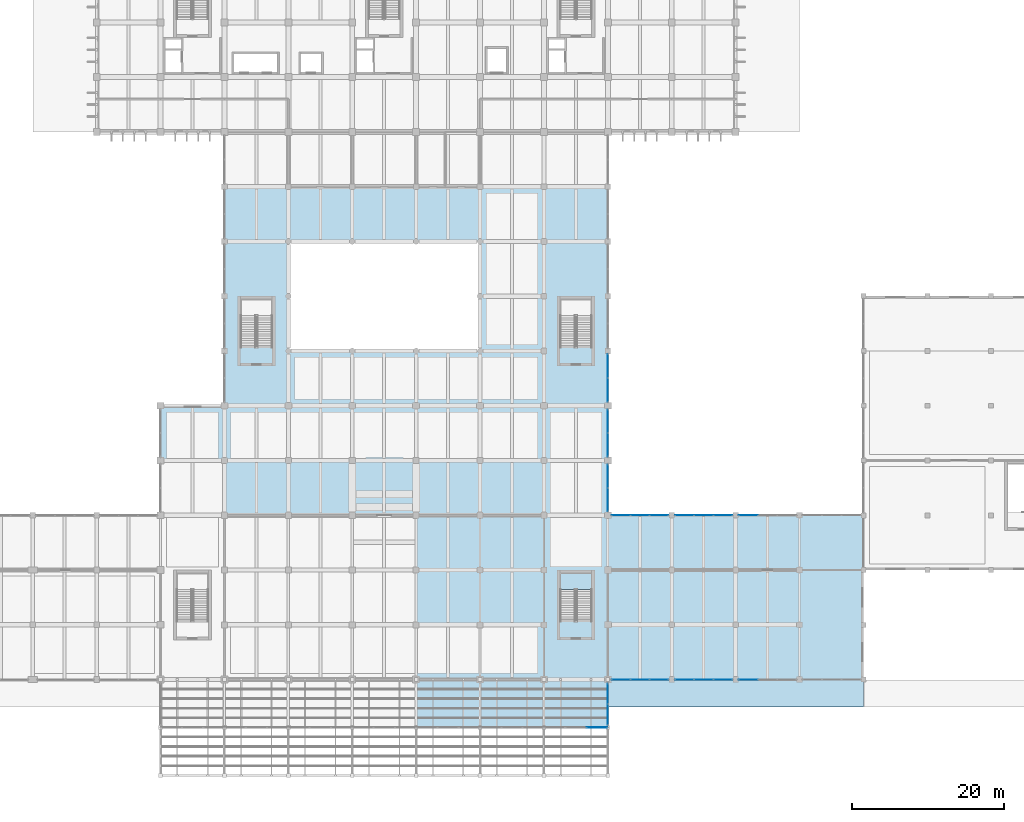
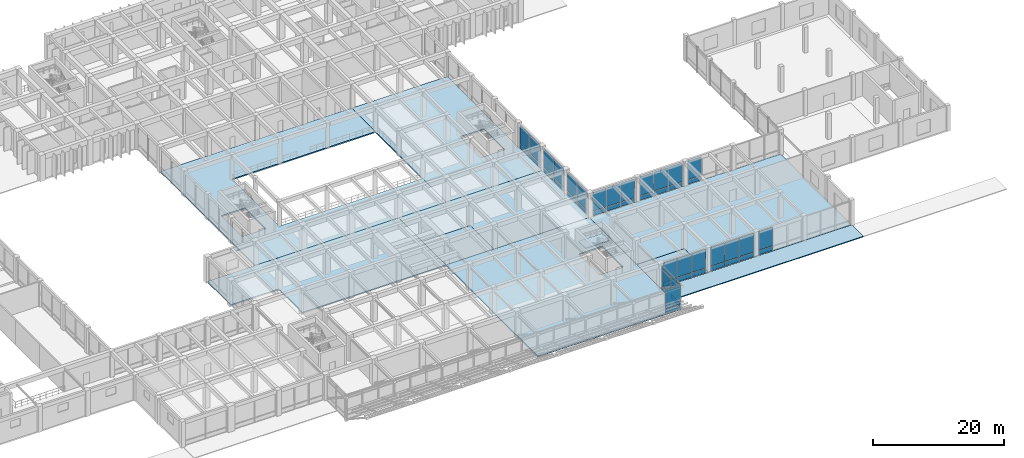
# One storey, part 29 of 52: 46 plates, 10 slabs, 12 elements without a shape of their own.
"""IFC4 building model written with IfcOpenShell, lengths in metres."""

from ifc_helpers import new_model, si_unit, direction, frame, origin, origin_2d, place, context, subcontext, project, spatial, polyline, rectangle, outline, extrude, material, layer, layer_set, type_object, element, aggregate, save


model = new_model("IFC4")

# Units and contexts
model_context = context("Model", 3, precision=1e-05, world=origin(), true_north=direction((0.0, 1.0)))
body_context = subcontext(model_context, "Body", "Model", "MODEL_VIEW")
ifc_project = project(units=[si_unit("LENGTHUNIT", "METRE"), si_unit("AREAUNIT", "SQUARE_METRE"), si_unit("VOLUMEUNIT", "CUBIC_METRE"), si_unit("PLANEANGLEUNIT", "RADIAN"), si_unit("MASSUNIT", "GRAM", prefix="KILO")], contexts=[model_context])

# Site, building, storey
site_placement = place(None, origin())
site = spatial("IfcSite", under=ifc_project, at=site_placement, CompositionType="ELEMENT")
building_placement = place(site_placement, origin())
building = spatial("IfcBuilding", under=site, at=building_placement, Name="Kenerak Square Central Library", CompositionType="ELEMENT")
storey_placement = place(building_placement, frame((0.0, 0.0, 4.800048828125)))
storey = spatial("IfcBuildingStorey", under=building, at=storey_placement, Name="L01", CompositionType="ELEMENT", Elevation=4.800048828125)

# Slabs
ifc_material_1 = material(Name="Precast concrete C40/50", Category="concrete")
ifc_layer_1 = layer(ifc_material_1, 0.14990234375)
ifc_layer_set_1 = layer_set([ifc_layer_1], Name="Precast concrete C40/50")
slab_type_1 = type_object("IfcSlabType", Name="Canopy and Lantern Eave Roof Deck RS-150 C40/50", PredefinedType="ROOF", material=ifc_layer_set_1)
slab_1_placement = place(storey_placement, frame((0.0, 0.0, -0.150146484375)))
element("IfcSlab", 1, at=slab_1_placement, inside=storey, type_object=slab_type_1, Name="Canopy Roof Slab COL-ROOF-SE", PredefinedType="ROOF", context=body_context, shape_type="SweptSolid", body=[
    extrude(outline(polyline([(117.25, 13.199951171875), (150.800048828125, 13.199951171875), (150.800048828125, 16.75), (117.25, 16.75), (117.25, 13.199951171875)])), origin(), (0.0, 0.0, 1.0), 0.150146484375),
])
ifc_material_2 = material(Name="Concrete C40/50", Category="concrete")
ifc_layer_2 = layer(ifc_material_2, 0.22509765625)
ifc_layer_set_2 = layer_set([ifc_layer_2], Name="Concrete C40/50")
slab_type_2 = type_object("IfcSlabType", Name="General Reading Room Slab FS-225 C40/50", PredefinedType="FLOOR", material=ifc_layer_set_2)
slab_2_placement = place(storey_placement, frame((0.0, 0.0, -0.22509765625)))
element("IfcSlab", 2, at=slab_2_placement, inside=storey, type_object=slab_type_2, Name="V1 Floor Slab L01 008", PredefinedType="FLOOR", context=body_context, shape_type="SweptSolid", body=[
    extrude(outline(polyline([(58.39990234375, 52.800048828125), (92.0, 52.800048828125), (92.0, 38.39990234375), (66.800048828125, 38.39990234375), (66.800048828125, 45.60009765625), (58.39990234375, 45.60009765625), (58.39990234375, 52.800048828125)])), origin(), (0.0, 0.0, 1.0), 0.22509765625),
])
slab_3_placement = place(storey_placement, frame((0.0, 0.0, -0.22509765625)))
element("IfcSlab", 3, at=slab_3_placement, inside=storey, type_object=slab_type_2, Name="V1 Floor Slab L01 010", PredefinedType="FLOOR", context=body_context, shape_type="SweptSolid", body=[
    extrude(outline(polyline([(92.0, 10.5), (92.0, 38.39990234375), (117.199951171875, 38.39990234375), (117.199951171875, 10.5), (92.0, 10.5)]), holes=[polyline([(115.080078125, 24.449951171875), (115.080078125, 30.800048828125), (110.919921875, 30.800048828125), (110.919921875, 24.449951171875), (115.080078125, 24.449951171875)])]), origin(), (0.0, 0.0, 1.0), 0.22509765625),
])
slab_4_placement = place(storey_placement, frame((0.0, 0.0, -0.22509765625)))
element("IfcSlab", 4, at=slab_4_placement, inside=storey, type_object=slab_type_2, Name="V1 Floor Slab L01 011", PredefinedType="FLOOR", context=body_context, shape_type="SweptSolid", body=[
    extrude(outline(polyline([(92.0, 52.800048828125), (117.199951171875, 52.800048828125), (117.199951171875, 38.39990234375), (100.39990234375, 38.39990234375), (100.39990234375, 45.60009765625), (92.0, 45.60009765625), (92.0, 52.800048828125)])), origin(), (0.0, 0.0, 1.0), 0.22509765625),
])
slab_5_placement = place(storey_placement, frame((0.0, 0.0, -0.22509765625)))
element("IfcSlab", 5, at=slab_5_placement, inside=storey, type_object=slab_type_2, Name="V1 Floor Slab L01 012", PredefinedType="FLOOR", context=body_context, shape_type="SweptSolid", body=[
    extrude(outline(polyline([(100.39990234375, 38.39990234375), (100.39990234375, 45.60009765625), (92.0, 45.60009765625), (92.0, 38.39990234375), (100.39990234375, 38.39990234375)])), origin(), (0.0, 0.0, 1.0), 0.22509765625),
])
slab_6_placement = place(storey_placement, frame((0.0, 0.0, -0.22509765625)))
element("IfcSlab", 6, at=slab_6_placement, inside=storey, type_object=slab_type_2, Name="V4 Floor Slab L01 040", PredefinedType="FLOOR", context=body_context, shape_type="SweptSolid", body=[
    extrude(outline(polyline([(100.39990234375, 52.800048828125), (66.800048828125, 52.800048828125), (66.800048828125, 81.60009765625), (100.39990234375, 81.60009765625), (100.39990234375, 74.39990234375), (75.199951171875, 74.39990234375), (75.199951171875, 60.0), (100.39990234375, 60.0), (100.39990234375, 52.800048828125)]), holes=[polyline([(73.080078125, 60.449951171875), (73.080078125, 66.800048828125), (68.919921875, 66.800048828125), (68.919921875, 60.449951171875), (73.080078125, 60.449951171875)])]), origin(), (0.0, 0.0, 1.0), 0.22509765625),
])
slab_7_placement = place(storey_placement, frame((0.0, 0.0, -0.22509765625)))
element("IfcSlab", 7, at=slab_7_placement, inside=storey, type_object=slab_type_2, Name="V4 Floor Slab L01 042", PredefinedType="FLOOR", context=body_context, shape_type="SweptSolid", body=[
    extrude(outline(polyline([(100.39990234375, 81.60009765625), (117.199951171875, 81.60009765625), (117.199951171875, 52.800048828125), (100.39990234375, 52.800048828125), (100.39990234375, 60.0), (100.39990234375, 74.39990234375), (100.39990234375, 81.60009765625)]), holes=[polyline([(115.080078125, 60.449951171875), (115.080078125, 66.800048828125), (110.919921875, 66.800048828125), (110.919921875, 60.449951171875), (115.080078125, 60.449951171875)])]), origin(), (0.0, 0.0, 1.0), 0.22509765625),
])

# Curtain wall, plates
ifc_material_3 = material(Name="Anodised aluminium and solar-control low-E glazing", Category="aluminium")
curtain_wall_type_1 = type_object("IfcCurtainWallType", Name="Curtain Wall CW-V4-63x45 6375x4500", PredefinedType="USERDEFINED", material=ifc_material_3)
curtain_wall_1_placement = place(storey_placement, origin())
curtain_wall_1 = element("IfcCurtainWall", 8, at=curtain_wall_1_placement, inside=storey, type_object=curtain_wall_type_1, Name="Curtain Wall CW-V4-63x45 L01 0032", ObjectType="CURTAIN WALL", PredefinedType="USERDEFINED")
ifc_material_4 = material(Name="Solar-control low-E laminated double glazing", Category="glass")
ifc_layer_3 = layer(ifc_material_4, 0.02392578125)
ifc_layer_set_3 = layer_set([ifc_layer_3], Name="Solar-control low-E laminated double glazing")
plate_type_1 = type_object("IfcPlateType", Name="Low-E Double Glazed Curtain Panel CP-24", PredefinedType="CURTAIN_PANEL", material=ifc_layer_set_3)
plate_1_placement = place(storey_placement, frame((117.199951171875, 58.014892578125, 0.06494140625), z_axis=(0.0, 0.0, 1.0), x_axis=(0.0, -1.0, 0.0)))
plate_1 = element("IfcPlate", 9, at=plate_1_placement, type_object=plate_type_1, Name="CW-V4-63x45 Panel 1.1", PredefinedType="CURTAIN_PANEL", context=body_context, shape_type="SweptSolid", body=[
    extrude(rectangle(XDim=3.090087890625, YDim=0.02392578125, at=origin_2d()), origin(), (0.0, 0.0, 1.0), 0.802490234375),
])
plate_2_placement = place(storey_placement, frame((117.199951171875, 58.014892578125, 0.932373046875), z_axis=(0.0, 0.0, 1.0), x_axis=(0.0, -1.0, 0.0)))
plate_2 = element("IfcPlate", 10, at=plate_2_placement, type_object=plate_type_1, Name="CW-V4-63x45 Panel 1.2", PredefinedType="CURTAIN_PANEL", context=body_context, shape_type="SweptSolid", body=[
    extrude(rectangle(XDim=3.090087890625, YDim=0.02392578125, at=origin_2d()), origin(), (0.0, 0.0, 1.0), 3.50244140625),
])
plate_3_placement = place(storey_placement, frame((117.199951171875, 54.860107421875, 0.06494140625), z_axis=(0.0, 0.0, 1.0), x_axis=(0.0, -1.0, 0.0)))
plate_3 = element("IfcPlate", 11, at=plate_3_placement, type_object=plate_type_1, Name="CW-V4-63x45 Panel 2.1", PredefinedType="CURTAIN_PANEL", context=body_context, shape_type="SweptSolid", body=[
    extrude(rectangle(XDim=3.090087890625, YDim=0.02392578125, at=origin_2d()), origin(), (0.0, 0.0, 1.0), 0.802490234375),
])
plate_4_placement = place(storey_placement, frame((117.199951171875, 54.860107421875, 0.932373046875), z_axis=(0.0, 0.0, 1.0), x_axis=(0.0, -1.0, 0.0)))
plate_4 = element("IfcPlate", 12, at=plate_4_placement, type_object=plate_type_1, Name="CW-V4-63x45 Panel 2.2", PredefinedType="CURTAIN_PANEL", context=body_context, shape_type="SweptSolid", body=[
    extrude(rectangle(XDim=3.090087890625, YDim=0.02392578125, at=origin_2d()), origin(), (0.0, 0.0, 1.0), 3.50244140625),
])
aggregate(curtain_wall_1, [plate_1, plate_2, plate_3, plate_4])

curtain_wall_type_2 = type_object("IfcCurtainWallType", Name="Curtain Wall CW-V6-75x45 7575x4500", PredefinedType="USERDEFINED", material=ifc_material_3)
curtain_wall_2_placement = place(storey_placement, origin())
curtain_wall_2 = element("IfcCurtainWall", 13, at=curtain_wall_2_placement, inside=storey, type_object=curtain_wall_type_2, Name="Curtain Wall CW-V6-75x45 L01 0035", ObjectType="CURTAIN WALL", PredefinedType="USERDEFINED")
plate_5_placement = place(storey_placement, frame((118.9287109375, 38.39990234375, 0.06494140625), z_axis=(0.0, 0.0, 1.0), x_axis=(1.0, 0.0, 0.0)))
plate_5 = element("IfcPlate", 14, at=plate_5_placement, type_object=plate_type_1, Name="CW-V6-75x45 Panel 1.1", PredefinedType="CURTAIN_PANEL", context=body_context, shape_type="SweptSolid", body=[
    extrude(rectangle(XDim=2.427490234375, YDim=0.02392578125, at=origin_2d()), origin(), (0.0, 0.0, 1.0), 0.802490234375),
])
plate_6_placement = place(storey_placement, frame((118.9287109375, 38.39990234375, 0.932373046875), z_axis=(0.0, 0.0, 1.0), x_axis=(1.0, 0.0, 0.0)))
plate_6 = element("IfcPlate", 15, at=plate_6_placement, type_object=plate_type_1, Name="CW-V6-75x45 Panel 1.2", PredefinedType="CURTAIN_PANEL", context=body_context, shape_type="SweptSolid", body=[
    extrude(rectangle(XDim=2.427490234375, YDim=0.02392578125, at=origin_2d()), origin(), (0.0, 0.0, 1.0), 3.50244140625),
])
plate_7_placement = place(storey_placement, frame((121.4375, 38.39990234375, 0.06494140625), z_axis=(0.0, 0.0, 1.0), x_axis=(1.0, 0.0, 0.0)))
plate_7 = element("IfcPlate", 16, at=plate_7_placement, type_object=plate_type_1, Name="CW-V6-75x45 Panel 2.1", PredefinedType="CURTAIN_PANEL", context=body_context, shape_type="SweptSolid", body=[
    extrude(rectangle(XDim=2.4599609375, YDim=0.02392578125, at=origin_2d()), origin(), (0.0, 0.0, 1.0), 0.802490234375),
])
plate_8_placement = place(storey_placement, frame((121.4375, 38.39990234375, 0.932373046875), z_axis=(0.0, 0.0, 1.0), x_axis=(1.0, 0.0, 0.0)))
plate_8 = element("IfcPlate", 17, at=plate_8_placement, type_object=plate_type_1, Name="CW-V6-75x45 Panel 2.2", PredefinedType="CURTAIN_PANEL", context=body_context, shape_type="SweptSolid", body=[
    extrude(rectangle(XDim=2.4599609375, YDim=0.02392578125, at=origin_2d()), origin(), (0.0, 0.0, 1.0), 3.50244140625),
])
plate_9_placement = place(storey_placement, frame((123.9462890625, 38.39990234375, 0.06494140625), z_axis=(0.0, 0.0, 1.0), x_axis=(1.0, 0.0, 0.0)))
plate_9 = element("IfcPlate", 18, at=plate_9_placement, type_object=plate_type_1, Name="CW-V6-75x45 Panel 3.1", PredefinedType="CURTAIN_PANEL", context=body_context, shape_type="SweptSolid", body=[
    extrude(rectangle(XDim=2.427490234375, YDim=0.02392578125, at=origin_2d()), origin(), (0.0, 0.0, 1.0), 0.802490234375),
])
plate_10_placement = place(storey_placement, frame((123.9462890625, 38.39990234375, 0.932373046875), z_axis=(0.0, 0.0, 1.0), x_axis=(1.0, 0.0, 0.0)))
plate_10 = element("IfcPlate", 19, at=plate_10_placement, type_object=plate_type_1, Name="CW-V6-75x45 Panel 3.2", PredefinedType="CURTAIN_PANEL", context=body_context, shape_type="SweptSolid", body=[
    extrude(rectangle(XDim=2.427490234375, YDim=0.02392578125, at=origin_2d()), origin(), (0.0, 0.0, 1.0), 3.50244140625),
])
aggregate(curtain_wall_2, [plate_5, plate_6, plate_7, plate_8, plate_9, plate_10])

curtain_wall_type_3 = type_object("IfcCurtainWallType", Name="Curtain Wall CW-V6-76x45 7650x4500", PredefinedType="USERDEFINED", material=ifc_material_3)
curtain_wall_3_placement = place(storey_placement, origin())
curtain_wall_3 = element("IfcCurtainWall", 20, at=curtain_wall_3_placement, inside=storey, type_object=curtain_wall_type_3, Name="Curtain Wall CW-V6-76x45 L01 0036", ObjectType="CURTAIN WALL", PredefinedType="USERDEFINED")
plate_11_placement = place(storey_placement, frame((127.266357421875, 38.39990234375, 0.06494140625), z_axis=(0.0, 0.0, 1.0), x_axis=(1.0, 0.0, 0.0)))
plate_11 = element("IfcPlate", 21, at=plate_11_placement, type_object=plate_type_1, Name="CW-V6-76x45 Panel 1.1", PredefinedType="CURTAIN_PANEL", context=body_context, shape_type="SweptSolid", body=[
    extrude(rectangle(XDim=2.452392578125, YDim=0.02392578125, at=origin_2d()), origin(), (0.0, 0.0, 1.0), 0.802490234375),
])
plate_12_placement = place(storey_placement, frame((127.266357421875, 38.39990234375, 0.932373046875), z_axis=(0.0, 0.0, 1.0), x_axis=(1.0, 0.0, 0.0)))
plate_12 = element("IfcPlate", 22, at=plate_12_placement, type_object=plate_type_1, Name="CW-V6-76x45 Panel 1.2", PredefinedType="CURTAIN_PANEL", context=body_context, shape_type="SweptSolid", body=[
    extrude(rectangle(XDim=2.452392578125, YDim=0.02392578125, at=origin_2d()), origin(), (0.0, 0.0, 1.0), 3.50244140625),
])
plate_13_placement = place(storey_placement, frame((129.800048828125, 38.39990234375, 0.06494140625), z_axis=(0.0, 0.0, 1.0), x_axis=(1.0, 0.0, 0.0)))
plate_13 = element("IfcPlate", 23, at=plate_13_placement, type_object=plate_type_1, Name="CW-V6-76x45 Panel 2.1", PredefinedType="CURTAIN_PANEL", context=body_context, shape_type="SweptSolid", body=[
    extrude(rectangle(XDim=2.485107421875, YDim=0.02392578125, at=origin_2d()), origin(), (0.0, 0.0, 1.0), 0.802490234375),
])
plate_14_placement = place(storey_placement, frame((129.800048828125, 38.39990234375, 0.932373046875), z_axis=(0.0, 0.0, 1.0), x_axis=(1.0, 0.0, 0.0)))
plate_14 = element("IfcPlate", 24, at=plate_14_placement, type_object=plate_type_1, Name="CW-V6-76x45 Panel 2.2", PredefinedType="CURTAIN_PANEL", context=body_context, shape_type="SweptSolid", body=[
    extrude(rectangle(XDim=2.485107421875, YDim=0.02392578125, at=origin_2d()), origin(), (0.0, 0.0, 1.0), 3.50244140625),
])
plate_15_placement = place(storey_placement, frame((132.333740234375, 38.39990234375, 0.06494140625), z_axis=(0.0, 0.0, 1.0), x_axis=(1.0, 0.0, 0.0)))
plate_15 = element("IfcPlate", 25, at=plate_15_placement, type_object=plate_type_1, Name="CW-V6-76x45 Panel 3.1", PredefinedType="CURTAIN_PANEL", context=body_context, shape_type="SweptSolid", body=[
    extrude(rectangle(XDim=2.452392578125, YDim=0.02392578125, at=origin_2d()), origin(), (0.0, 0.0, 1.0), 0.802490234375),
])
plate_16_placement = place(storey_placement, frame((132.333740234375, 38.39990234375, 0.932373046875), z_axis=(0.0, 0.0, 1.0), x_axis=(1.0, 0.0, 0.0)))
plate_16 = element("IfcPlate", 26, at=plate_16_placement, type_object=plate_type_1, Name="CW-V6-76x45 Panel 3.2", PredefinedType="CURTAIN_PANEL", context=body_context, shape_type="SweptSolid", body=[
    extrude(rectangle(XDim=2.452392578125, YDim=0.02392578125, at=origin_2d()), origin(), (0.0, 0.0, 1.0), 3.50244140625),
])
aggregate(curtain_wall_3, [plate_11, plate_12, plate_13, plate_14, plate_15, plate_16])

curtain_wall_4_placement = place(storey_placement, origin())
curtain_wall_4 = element("IfcCurtainWall", 27, at=curtain_wall_4_placement, inside=storey, type_object=curtain_wall_type_3, Name="Curtain Wall CW-V6-76x45 L01 0037", ObjectType="CURTAIN WALL", PredefinedType="USERDEFINED")
plate_17_placement = place(storey_placement, frame((135.666259765625, 38.39990234375, 0.06494140625), z_axis=(0.0, 0.0, 1.0), x_axis=(1.0, 0.0, 0.0)))
plate_17 = element("IfcPlate", 28, at=plate_17_placement, type_object=plate_type_1, Name="CW-V6-76x45 Panel 1.1", PredefinedType="CURTAIN_PANEL", context=body_context, shape_type="SweptSolid", body=[
    extrude(rectangle(XDim=2.452392578125, YDim=0.02392578125, at=origin_2d()), origin(), (0.0, 0.0, 1.0), 0.802490234375),
])
plate_18_placement = place(storey_placement, frame((135.666259765625, 38.39990234375, 0.932373046875), z_axis=(0.0, 0.0, 1.0), x_axis=(1.0, 0.0, 0.0)))
plate_18 = element("IfcPlate", 29, at=plate_18_placement, type_object=plate_type_1, Name="CW-V6-76x45 Panel 1.2", PredefinedType="CURTAIN_PANEL", context=body_context, shape_type="SweptSolid", body=[
    extrude(rectangle(XDim=2.452392578125, YDim=0.02392578125, at=origin_2d()), origin(), (0.0, 0.0, 1.0), 3.50244140625),
])
aggregate(curtain_wall_4, [plate_17, plate_18])

curtain_wall_5_placement = place(storey_placement, origin())
curtain_wall_5 = element("IfcCurtainWall", 30, at=curtain_wall_5_placement, inside=storey, type_object=curtain_wall_type_3, Name="Curtain Wall CW-V6-76x45 L01 0044", ObjectType="CURTAIN WALL", PredefinedType="USERDEFINED")
plate_19_placement = place(storey_placement, frame((135.666259765625, 16.800048828125, 0.06494140625), z_axis=(0.0, 0.0, 1.0), x_axis=(-1.0, 0.0, 0.0)))
plate_19 = element("IfcPlate", 31, at=plate_19_placement, type_object=plate_type_1, Name="CW-V6-76x45 Panel 3.1", PredefinedType="CURTAIN_PANEL", context=body_context, shape_type="SweptSolid", body=[
    extrude(rectangle(XDim=2.452392578125, YDim=0.02392578125, at=origin_2d()), origin(), (0.0, 0.0, 1.0), 0.802490234375),
])
plate_20_placement = place(storey_placement, frame((135.666259765625, 16.800048828125, 0.932373046875), z_axis=(0.0, 0.0, 1.0), x_axis=(-1.0, 0.0, 0.0)))
plate_20 = element("IfcPlate", 32, at=plate_20_placement, type_object=plate_type_1, Name="CW-V6-76x45 Panel 3.2", PredefinedType="CURTAIN_PANEL", context=body_context, shape_type="SweptSolid", body=[
    extrude(rectangle(XDim=2.452392578125, YDim=0.02392578125, at=origin_2d()), origin(), (0.0, 0.0, 1.0), 3.50244140625),
])
aggregate(curtain_wall_5, [plate_19, plate_20])

curtain_wall_6_placement = place(storey_placement, origin())
curtain_wall_6 = element("IfcCurtainWall", 33, at=curtain_wall_6_placement, inside=storey, type_object=curtain_wall_type_3, Name="Curtain Wall CW-V6-76x45 L01 0045", ObjectType="CURTAIN WALL", PredefinedType="USERDEFINED")
plate_21_placement = place(storey_placement, frame((132.333740234375, 16.800048828125, 0.06494140625), z_axis=(0.0, 0.0, 1.0), x_axis=(-1.0, 0.0, 0.0)))
plate_21 = element("IfcPlate", 34, at=plate_21_placement, type_object=plate_type_1, Name="CW-V6-76x45 Panel 1.1", PredefinedType="CURTAIN_PANEL", context=body_context, shape_type="SweptSolid", body=[
    extrude(rectangle(XDim=2.452392578125, YDim=0.02392578125, at=origin_2d()), origin(), (0.0, 0.0, 1.0), 0.802490234375),
])
plate_22_placement = place(storey_placement, frame((132.333740234375, 16.800048828125, 0.932373046875), z_axis=(0.0, 0.0, 1.0), x_axis=(-1.0, 0.0, 0.0)))
plate_22 = element("IfcPlate", 35, at=plate_22_placement, type_object=plate_type_1, Name="CW-V6-76x45 Panel 1.2", PredefinedType="CURTAIN_PANEL", context=body_context, shape_type="SweptSolid", body=[
    extrude(rectangle(XDim=2.452392578125, YDim=0.02392578125, at=origin_2d()), origin(), (0.0, 0.0, 1.0), 3.50244140625),
])
plate_23_placement = place(storey_placement, frame((129.800048828125, 16.800048828125, 0.06494140625), z_axis=(0.0, 0.0, 1.0), x_axis=(-1.0, 0.0, 0.0)))
plate_23 = element("IfcPlate", 36, at=plate_23_placement, type_object=plate_type_1, Name="CW-V6-76x45 Panel 2.1", PredefinedType="CURTAIN_PANEL", context=body_context, shape_type="SweptSolid", body=[
    extrude(rectangle(XDim=2.485107421875, YDim=0.02392578125, at=origin_2d()), origin(), (0.0, 0.0, 1.0), 0.802490234375),
])
plate_24_placement = place(storey_placement, frame((129.800048828125, 16.800048828125, 0.932373046875), z_axis=(0.0, 0.0, 1.0), x_axis=(-1.0, 0.0, 0.0)))
plate_24 = element("IfcPlate", 37, at=plate_24_placement, type_object=plate_type_1, Name="CW-V6-76x45 Panel 2.2", PredefinedType="CURTAIN_PANEL", context=body_context, shape_type="SweptSolid", body=[
    extrude(rectangle(XDim=2.485107421875, YDim=0.02392578125, at=origin_2d()), origin(), (0.0, 0.0, 1.0), 3.50244140625),
])
plate_25_placement = place(storey_placement, frame((127.266357421875, 16.800048828125, 0.06494140625), z_axis=(0.0, 0.0, 1.0), x_axis=(-1.0, 0.0, 0.0)))
plate_25 = element("IfcPlate", 38, at=plate_25_placement, type_object=plate_type_1, Name="CW-V6-76x45 Panel 3.1", PredefinedType="CURTAIN_PANEL", context=body_context, shape_type="SweptSolid", body=[
    extrude(rectangle(XDim=2.452392578125, YDim=0.02392578125, at=origin_2d()), origin(), (0.0, 0.0, 1.0), 0.802490234375),
])
plate_26_placement = place(storey_placement, frame((127.266357421875, 16.800048828125, 0.932373046875), z_axis=(0.0, 0.0, 1.0), x_axis=(-1.0, 0.0, 0.0)))
plate_26 = element("IfcPlate", 39, at=plate_26_placement, type_object=plate_type_1, Name="CW-V6-76x45 Panel 3.2", PredefinedType="CURTAIN_PANEL", context=body_context, shape_type="SweptSolid", body=[
    extrude(rectangle(XDim=2.452392578125, YDim=0.02392578125, at=origin_2d()), origin(), (0.0, 0.0, 1.0), 3.50244140625),
])
aggregate(curtain_wall_6, [plate_21, plate_22, plate_23, plate_24, plate_25, plate_26])

curtain_wall_7_placement = place(storey_placement, origin())
curtain_wall_7 = element("IfcCurtainWall", 40, at=curtain_wall_7_placement, inside=storey, type_object=curtain_wall_type_2, Name="Curtain Wall CW-V6-75x45 L01 0046", ObjectType="CURTAIN WALL", PredefinedType="USERDEFINED")
plate_27_placement = place(storey_placement, frame((123.9462890625, 16.800048828125, 0.06494140625), z_axis=(0.0, 0.0, 1.0), x_axis=(-1.0, 0.0, 0.0)))
plate_27 = element("IfcPlate", 41, at=plate_27_placement, type_object=plate_type_1, Name="CW-V6-75x45 Panel 1.1", PredefinedType="CURTAIN_PANEL", context=body_context, shape_type="SweptSolid", body=[
    extrude(rectangle(XDim=2.427490234375, YDim=0.02392578125, at=origin_2d()), origin(), (0.0, 0.0, 1.0), 0.802490234375),
])
plate_28_placement = place(storey_placement, frame((123.9462890625, 16.800048828125, 0.932373046875), z_axis=(0.0, 0.0, 1.0), x_axis=(-1.0, 0.0, 0.0)))
plate_28 = element("IfcPlate", 42, at=plate_28_placement, type_object=plate_type_1, Name="CW-V6-75x45 Panel 1.2", PredefinedType="CURTAIN_PANEL", context=body_context, shape_type="SweptSolid", body=[
    extrude(rectangle(XDim=2.427490234375, YDim=0.02392578125, at=origin_2d()), origin(), (0.0, 0.0, 1.0), 3.50244140625),
])
plate_29_placement = place(storey_placement, frame((121.4375, 16.800048828125, 0.06494140625), z_axis=(0.0, 0.0, 1.0), x_axis=(-1.0, 0.0, 0.0)))
plate_29 = element("IfcPlate", 43, at=plate_29_placement, type_object=plate_type_1, Name="CW-V6-75x45 Panel 2.1", PredefinedType="CURTAIN_PANEL", context=body_context, shape_type="SweptSolid", body=[
    extrude(rectangle(XDim=2.4599609375, YDim=0.02392578125, at=origin_2d()), origin(), (0.0, 0.0, 1.0), 0.802490234375),
])
plate_30_placement = place(storey_placement, frame((121.4375, 16.800048828125, 0.932373046875), z_axis=(0.0, 0.0, 1.0), x_axis=(-1.0, 0.0, 0.0)))
plate_30 = element("IfcPlate", 44, at=plate_30_placement, type_object=plate_type_1, Name="CW-V6-75x45 Panel 2.2", PredefinedType="CURTAIN_PANEL", context=body_context, shape_type="SweptSolid", body=[
    extrude(rectangle(XDim=2.4599609375, YDim=0.02392578125, at=origin_2d()), origin(), (0.0, 0.0, 1.0), 3.50244140625),
])
plate_31_placement = place(storey_placement, frame((118.9287109375, 16.800048828125, 0.06494140625), z_axis=(0.0, 0.0, 1.0), x_axis=(-1.0, 0.0, 0.0)))
plate_31 = element("IfcPlate", 45, at=plate_31_placement, type_object=plate_type_1, Name="CW-V6-75x45 Panel 3.1", PredefinedType="CURTAIN_PANEL", context=body_context, shape_type="SweptSolid", body=[
    extrude(rectangle(XDim=2.427490234375, YDim=0.02392578125, at=origin_2d()), origin(), (0.0, 0.0, 1.0), 0.802490234375),
])
plate_32_placement = place(storey_placement, frame((118.9287109375, 16.800048828125, 0.932373046875), z_axis=(0.0, 0.0, 1.0), x_axis=(-1.0, 0.0, 0.0)))
plate_32 = element("IfcPlate", 46, at=plate_32_placement, type_object=plate_type_1, Name="CW-V6-75x45 Panel 3.2", PredefinedType="CURTAIN_PANEL", context=body_context, shape_type="SweptSolid", body=[
    extrude(rectangle(XDim=2.427490234375, YDim=0.02392578125, at=origin_2d()), origin(), (0.0, 0.0, 1.0), 3.50244140625),
])
aggregate(curtain_wall_7, [plate_27, plate_28, plate_29, plate_30, plate_31, plate_32])

# Stair, slab
stair_type = type_object("IfcStairType", Name="Exit Dogleg Stair ST-480 C40/50", PredefinedType="HALF_TURN_STAIR", material=ifc_material_2)
stair_placement = place(storey_placement, origin())
stair = element("IfcStair", 47, at=stair_placement, inside=storey, type_object=stair_type, Name="L01 Protected Exit Stair ST-05", PredefinedType="HALF_TURN_STAIR")
ifc_layer_4 = layer(ifc_material_2, 0.199951171875)
ifc_layer_set_4 = layer_set([ifc_layer_4], Name="Concrete C40/50")
slab_type_3 = type_object("IfcSlabType", Name="Stair Half-Landing Slab LD-200 C40/50", PredefinedType="LANDING", material=ifc_layer_set_4)
slab_8_placement = place(storey_placement, frame((0.0, 0.0, 2.199951171875)))
slab_8 = element("IfcSlab", 48, at=slab_8_placement, type_object=slab_type_3, Name="ST-05 Landing 1", PredefinedType="LANDING", context=body_context, shape_type="SweptSolid", body=[
    extrude(outline(polyline([(115.080078125, 28.64990234375), (115.080078125, 30.800048828125), (110.919921875, 30.800048828125), (110.919921875, 28.64990234375), (115.080078125, 28.64990234375)])), origin(), (0.0, 0.0, 1.0), 0.199951171875),
])
aggregate(stair, [slab_8])

# Slabs
ifc_layer_5 = layer(ifc_material_2, 0.35009765625)
ifc_layer_set_5 = layer_set([ifc_layer_5], Name="Concrete C40/50")
slab_type_4 = type_object("IfcSlabType", Name="Transfer and Plant Room Slab FS-350 C40/50", PredefinedType="FLOOR", material=ifc_layer_set_5)
slab_9_placement = place(storey_placement, frame((0.0, 0.0, -0.35009765625)))
element("IfcSlab", 49, at=slab_9_placement, inside=storey, type_object=slab_type_4, Name="V6 Floor Slab L01 103", PredefinedType="FLOOR", context=body_context, shape_type="SweptSolid", body=[
    extrude(outline(polyline([(117.199951171875, 38.39990234375), (150.800048828125, 38.39990234375), (150.800048828125, 16.800048828125), (125.60009765625, 16.800048828125), (125.60009765625, 24.0), (117.199951171875, 24.0), (117.199951171875, 38.39990234375)])), origin(), (0.0, 0.0, 1.0), 0.35009765625),
])
slab_10_placement = place(storey_placement, frame((0.0, 0.0, -0.35009765625)))
element("IfcSlab", 50, at=slab_10_placement, inside=storey, type_object=slab_type_4, Name="V6 Floor Slab L01 104", PredefinedType="FLOOR", context=body_context, shape_type="SweptSolid", body=[
    extrude(outline(polyline([(125.60009765625, 16.800048828125), (125.60009765625, 24.0), (117.199951171875, 24.0), (117.199951171875, 16.800048828125), (125.60009765625, 16.800048828125)])), origin(), (0.0, 0.0, 1.0), 0.35009765625),
])

# Curtain wall, plates
curtain_wall_type_4 = type_object("IfcCurtainWallType", Name="Curtain Wall CW-V1-63x45 6300x4500", PredefinedType="USERDEFINED", material=ifc_material_3)
curtain_wall_8_placement = place(storey_placement, origin())
curtain_wall_8 = element("IfcCurtainWall", 51, at=curtain_wall_8_placement, inside=storey, type_object=curtain_wall_type_4, Name="Curtain Wall CW-V1-63x45 L01 0033", ObjectType="CURTAIN WALL", PredefinedType="USERDEFINED")
ifc_material_5 = material(Name="Triple-laminated solar-control low-E glazing", Category="glass")
ifc_layer_6 = layer(ifc_material_5, 0.031982421875)
ifc_layer_set_6 = layer_set([ifc_layer_6], Name="Triple-laminated solar-control low-E glazing")
plate_type_2 = type_object("IfcPlateType", Name="Triple-Laminated Reading Hall Panel CP-32", PredefinedType="CURTAIN_PANEL", material=ifc_layer_set_6)
plate_33_placement = place(storey_placement, frame((117.199951171875, 50.75634765625, 0.074951171875), z_axis=(0.0, 0.0, 1.0), x_axis=(0.0, -1.0, 0.0)))
plate_33 = element("IfcPlate", 52, at=plate_33_placement, type_object=plate_type_2, Name="CW-V1-63x45 Panel 1.1", PredefinedType="CURTAIN_PANEL", context=body_context, shape_type="SweptSolid", body=[
    extrude(rectangle(XDim=3.03759765625, YDim=0.031982421875, at=origin_2d()), origin(), (0.0, 0.0, 1.0), 0.78759765625),
])
plate_34_placement = place(storey_placement, frame((117.199951171875, 50.75634765625, 0.9375), z_axis=(0.0, 0.0, 1.0), x_axis=(0.0, -1.0, 0.0)))
plate_34 = element("IfcPlate", 53, at=plate_34_placement, type_object=plate_type_2, Name="CW-V1-63x45 Panel 1.2", PredefinedType="CURTAIN_PANEL", context=body_context, shape_type="SweptSolid", body=[
    extrude(rectangle(XDim=3.03759765625, YDim=0.031982421875, at=origin_2d()), origin(), (0.0, 0.0, 1.0), 3.487548828125),
])
plate_35_placement = place(storey_placement, frame((117.199951171875, 47.643798828125, 0.074951171875), z_axis=(0.0, 0.0, 1.0), x_axis=(0.0, -1.0, 0.0)))
plate_35 = element("IfcPlate", 54, at=plate_35_placement, type_object=plate_type_2, Name="CW-V1-63x45 Panel 2.1", PredefinedType="CURTAIN_PANEL", context=body_context, shape_type="SweptSolid", body=[
    extrude(rectangle(XDim=3.03759765625, YDim=0.031982421875, at=origin_2d()), origin(), (0.0, 0.0, 1.0), 0.78759765625),
])
plate_36_placement = place(storey_placement, frame((117.199951171875, 47.643798828125, 0.9375), z_axis=(0.0, 0.0, 1.0), x_axis=(0.0, -1.0, 0.0)))
plate_36 = element("IfcPlate", 55, at=plate_36_placement, type_object=plate_type_2, Name="CW-V1-63x45 Panel 2.2", PredefinedType="CURTAIN_PANEL", context=body_context, shape_type="SweptSolid", body=[
    extrude(rectangle(XDim=3.03759765625, YDim=0.031982421875, at=origin_2d()), origin(), (0.0, 0.0, 1.0), 3.487548828125),
])
aggregate(curtain_wall_8, [plate_33, plate_34, plate_35, plate_36])

curtain_wall_9_placement = place(storey_placement, origin())
curtain_wall_9 = element("IfcCurtainWall", 56, at=curtain_wall_9_placement, inside=storey, type_object=curtain_wall_type_4, Name="Curtain Wall CW-V1-63x45 L01 0034", ObjectType="CURTAIN WALL", PredefinedType="USERDEFINED")
plate_37_placement = place(storey_placement, frame((117.199951171875, 43.55615234375, 0.074951171875), z_axis=(0.0, 0.0, 1.0), x_axis=(0.0, -1.0, 0.0)))
plate_37 = element("IfcPlate", 57, at=plate_37_placement, type_object=plate_type_2, Name="CW-V1-63x45 Panel 1.1", PredefinedType="CURTAIN_PANEL", context=body_context, shape_type="SweptSolid", body=[
    extrude(rectangle(XDim=3.03759765625, YDim=0.031982421875, at=origin_2d()), origin(), (0.0, 0.0, 1.0), 0.78759765625),
])
plate_38_placement = place(storey_placement, frame((117.199951171875, 43.55615234375, 0.9375), z_axis=(0.0, 0.0, 1.0), x_axis=(0.0, -1.0, 0.0)))
plate_38 = element("IfcPlate", 58, at=plate_38_placement, type_object=plate_type_2, Name="CW-V1-63x45 Panel 1.2", PredefinedType="CURTAIN_PANEL", context=body_context, shape_type="SweptSolid", body=[
    extrude(rectangle(XDim=3.03759765625, YDim=0.031982421875, at=origin_2d()), origin(), (0.0, 0.0, 1.0), 3.487548828125),
])
plate_39_placement = place(storey_placement, frame((117.199951171875, 40.44384765625, 0.074951171875), z_axis=(0.0, 0.0, 1.0), x_axis=(0.0, -1.0, 0.0)))
plate_39 = element("IfcPlate", 59, at=plate_39_placement, type_object=plate_type_2, Name="CW-V1-63x45 Panel 2.1", PredefinedType="CURTAIN_PANEL", context=body_context, shape_type="SweptSolid", body=[
    extrude(rectangle(XDim=3.03759765625, YDim=0.031982421875, at=origin_2d()), origin(), (0.0, 0.0, 1.0), 0.78759765625),
])
plate_40_placement = place(storey_placement, frame((117.199951171875, 40.44384765625, 0.9375), z_axis=(0.0, 0.0, 1.0), x_axis=(0.0, -1.0, 0.0)))
plate_40 = element("IfcPlate", 60, at=plate_40_placement, type_object=plate_type_2, Name="CW-V1-63x45 Panel 2.2", PredefinedType="CURTAIN_PANEL", context=body_context, shape_type="SweptSolid", body=[
    extrude(rectangle(XDim=3.03759765625, YDim=0.031982421875, at=origin_2d()), origin(), (0.0, 0.0, 1.0), 3.487548828125),
])
aggregate(curtain_wall_9, [plate_37, plate_38, plate_39, plate_40])

curtain_wall_type_5 = type_object("IfcCurtainWallType", Name="Curtain Wall CW-V1-55x45 5550x4500", PredefinedType="USERDEFINED", material=ifc_material_3)
curtain_wall_10_placement = place(storey_placement, origin())
curtain_wall_10 = element("IfcCurtainWall", 61, at=curtain_wall_10_placement, inside=storey, type_object=curtain_wall_type_5, Name="Curtain Wall CW-V1-55x45 L01 0047", ObjectType="CURTAIN WALL", PredefinedType="USERDEFINED")
plate_41_placement = place(storey_placement, frame((117.199951171875, 14.94384765625, 0.074951171875), z_axis=(0.0, 0.0, 1.0), x_axis=(0.0, -1.0, 0.0)))
plate_41 = element("IfcPlate", 62, at=plate_41_placement, type_object=plate_type_2, Name="CW-V1-55x45 Panel 1.1", PredefinedType="CURTAIN_PANEL", context=body_context, shape_type="SweptSolid", body=[
    extrude(rectangle(XDim=2.66259765625, YDim=0.031982421875, at=origin_2d()), origin(), (0.0, 0.0, 1.0), 0.78759765625),
])
plate_42_placement = place(storey_placement, frame((117.199951171875, 14.94384765625, 0.9375), z_axis=(0.0, 0.0, 1.0), x_axis=(0.0, -1.0, 0.0)))
plate_42 = element("IfcPlate", 63, at=plate_42_placement, type_object=plate_type_2, Name="CW-V1-55x45 Panel 1.2", PredefinedType="CURTAIN_PANEL", context=body_context, shape_type="SweptSolid", body=[
    extrude(rectangle(XDim=2.66259765625, YDim=0.031982421875, at=origin_2d()), origin(), (0.0, 0.0, 1.0), 3.487548828125),
])
plate_43_placement = place(storey_placement, frame((117.199951171875, 12.206298828125, 0.074951171875), z_axis=(0.0, 0.0, 1.0), x_axis=(0.0, -1.0, 0.0)))
plate_43 = element("IfcPlate", 64, at=plate_43_placement, type_object=plate_type_2, Name="CW-V1-55x45 Panel 2.1", PredefinedType="CURTAIN_PANEL", context=body_context, shape_type="SweptSolid", body=[
    extrude(rectangle(XDim=2.66259765625, YDim=0.031982421875, at=origin_2d()), origin(), (0.0, 0.0, 1.0), 0.78759765625),
])
plate_44_placement = place(storey_placement, frame((117.199951171875, 12.206298828125, 0.9375), z_axis=(0.0, 0.0, 1.0), x_axis=(0.0, -1.0, 0.0)))
plate_44 = element("IfcPlate", 65, at=plate_44_placement, type_object=plate_type_2, Name="CW-V1-55x45 Panel 2.2", PredefinedType="CURTAIN_PANEL", context=body_context, shape_type="SweptSolid", body=[
    extrude(rectangle(XDim=2.66259765625, YDim=0.031982421875, at=origin_2d()), origin(), (0.0, 0.0, 1.0), 3.487548828125),
])
aggregate(curtain_wall_10, [plate_41, plate_42, plate_43, plate_44])

curtain_wall_type_6 = type_object("IfcCurtainWallType", Name="Curtain Wall CW-V1-84x45 8400x4500", PredefinedType="USERDEFINED", material=ifc_material_3)
curtain_wall_11_placement = place(storey_placement, origin())
curtain_wall_11 = element("IfcCurtainWall", 66, at=curtain_wall_11_placement, inside=storey, type_object=curtain_wall_type_6, Name="Curtain Wall CW-V1-84x45 L01 0048", ObjectType="CURTAIN WALL", PredefinedType="USERDEFINED")
plate_45_placement = place(storey_placement, frame((115.78125, 10.5, 0.074951171875), z_axis=(0.0, 0.0, 1.0), x_axis=(-1.0, 0.0, 0.0)))
plate_45 = element("IfcPlate", 67, at=plate_45_placement, type_object=plate_type_2, Name="CW-V1-84x45 Panel 1.1", PredefinedType="CURTAIN_PANEL", context=body_context, shape_type="SweptSolid", body=[
    extrude(rectangle(XDim=2.6875, YDim=0.031982421875, at=origin_2d()), origin(), (0.0, 0.0, 1.0), 0.78759765625),
])
plate_46_placement = place(storey_placement, frame((115.78125, 10.5, 0.9375), z_axis=(0.0, 0.0, 1.0), x_axis=(-1.0, 0.0, 0.0)))
plate_46 = element("IfcPlate", 68, at=plate_46_placement, type_object=plate_type_2, Name="CW-V1-84x45 Panel 1.2", PredefinedType="CURTAIN_PANEL", context=body_context, shape_type="SweptSolid", body=[
    extrude(rectangle(XDim=2.6875, YDim=0.031982421875, at=origin_2d()), origin(), (0.0, 0.0, 1.0), 3.487548828125),
])
aggregate(curtain_wall_11, [plate_45, plate_46])

save(model, "model.ifc")
